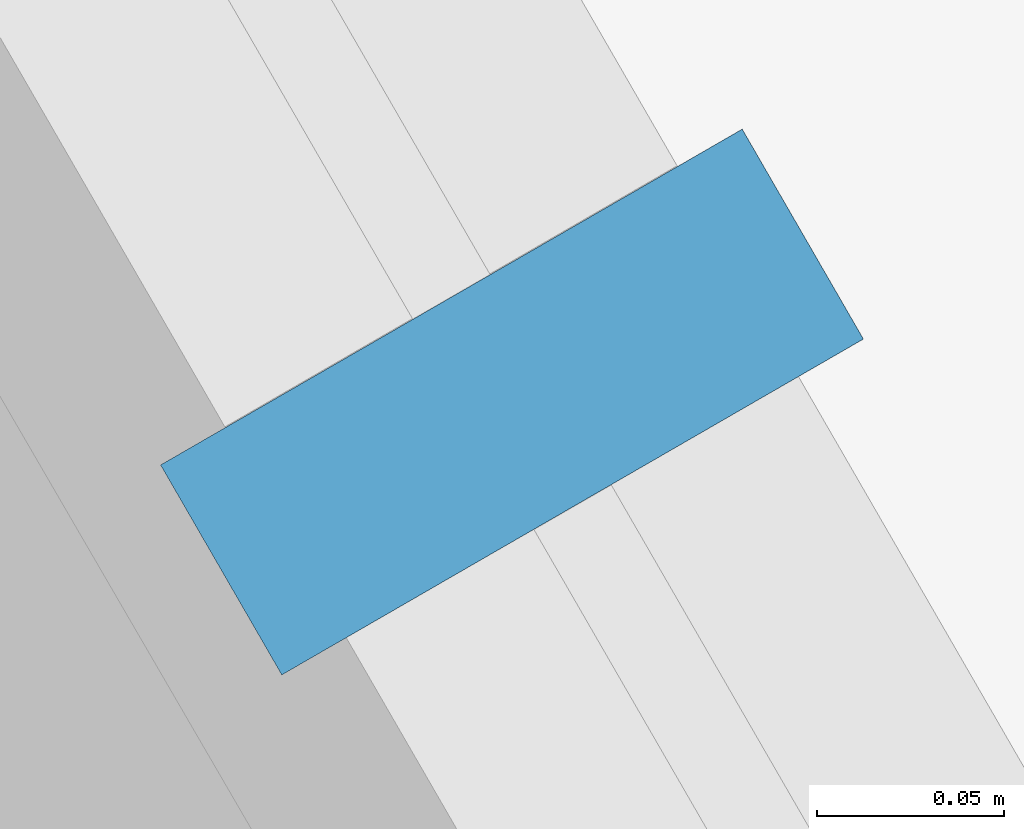
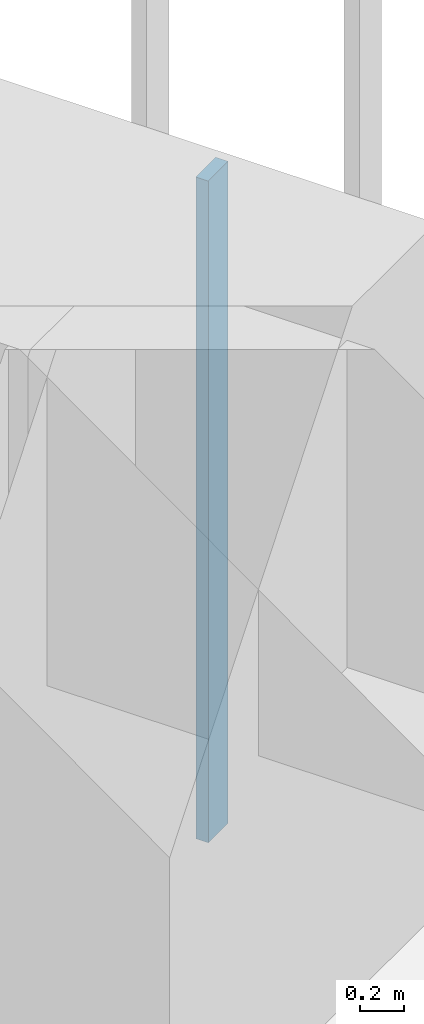
# One storey, part 209 of 256: 1 member, 1 element without a shape of its own.
"""IFC4 building model written with IfcOpenShell, lengths in metres."""

from ifc_helpers import new_model, si_unit, direction, frame, origin, origin_2d, place, context, subcontext, project, spatial, rectangle, extrude, material, material_profile, profile_set, type_object, element, aggregate, save


model = new_model("IFC4")

# Units and contexts
model_context = context("Model", 3, precision=1e-05, world=origin(), true_north=direction((0.0, 1.0)))
body_context = subcontext(model_context, "Body", "Model", "MODEL_VIEW")
ifc_project = project(units=[si_unit("LENGTHUNIT", "METRE"), si_unit("AREAUNIT", "SQUARE_METRE"), si_unit("VOLUMEUNIT", "CUBIC_METRE"), si_unit("PLANEANGLEUNIT", "RADIAN"), si_unit("MASSUNIT", "GRAM", prefix="KILO")], contexts=[model_context])

# Site, building, storey
site_placement = place(None, origin())
site = spatial("IfcSite", under=ifc_project, at=site_placement, CompositionType="ELEMENT")
building_placement = place(site_placement, origin())
building = spatial("IfcBuilding", under=site, at=building_placement, Name="Sandreach Pilgrim Tower", CompositionType="ELEMENT")
storey_placement = place(building_placement, frame((0.0, 0.0, 23.0)))
storey = spatial("IfcBuildingStorey", under=building, at=storey_placement, Name="L04", CompositionType="ELEMENT", Elevation=23.0)

# Curtain wall, member
ifc_material_1 = material(Name="Aluminium framed curtain wall", Category="aluminium")
curtain_wall_type = type_object("IfcCurtainWallType", Name="Hostel tower curtain wall", PredefinedType="NOTDEFINED", material=ifc_material_1)
curtain_wall_placement = place(storey_placement, origin())
curtain_wall = element("IfcCurtainWall", 1, at=curtain_wall_placement, inside=storey, type_object=curtain_wall_type, Name="CW-1 L04 NE", PredefinedType="NOTDEFINED")
ifc_material_2 = material(Name="Aluminium extrusion", Category="aluminium")
ifc_material_profile = material_profile(ifc_material_2, rectangle(XDim=0.06494140625, YDim=0.179931640625, at=origin_2d()), Name="CW-1M 65X180")
ifc_profile_set = profile_set([ifc_material_profile], Name="Aluminium extrusion")
member_type = type_object("IfcMemberType", Name="CW-1 mullion", PredefinedType="MULLION", material=ifc_profile_set)
member_placement = place(storey_placement, frame((25.990234375, 15.00537109375, 0.0), z_axis=(0.0, 0.0, 1.0), x_axis=(0.5, -0.866025403784, 0.0)))
member = element("IfcMember", 2, at=member_placement, type_object=member_type, Name="CW-1 mullion 3", PredefinedType="MULLION", context=body_context, shape_type="SweptSolid", body=[
    extrude(rectangle(XDim=0.06494140625, YDim=0.179931640625, at=origin_2d()), origin(), (0.0, 0.0, 1.0), 3.639892578125),
])
aggregate(curtain_wall, [member])

save(model, "model.ifc")
